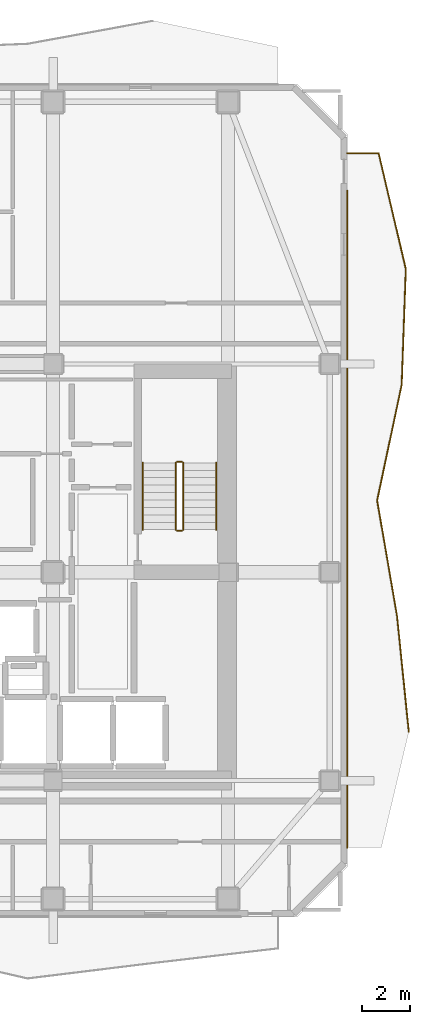
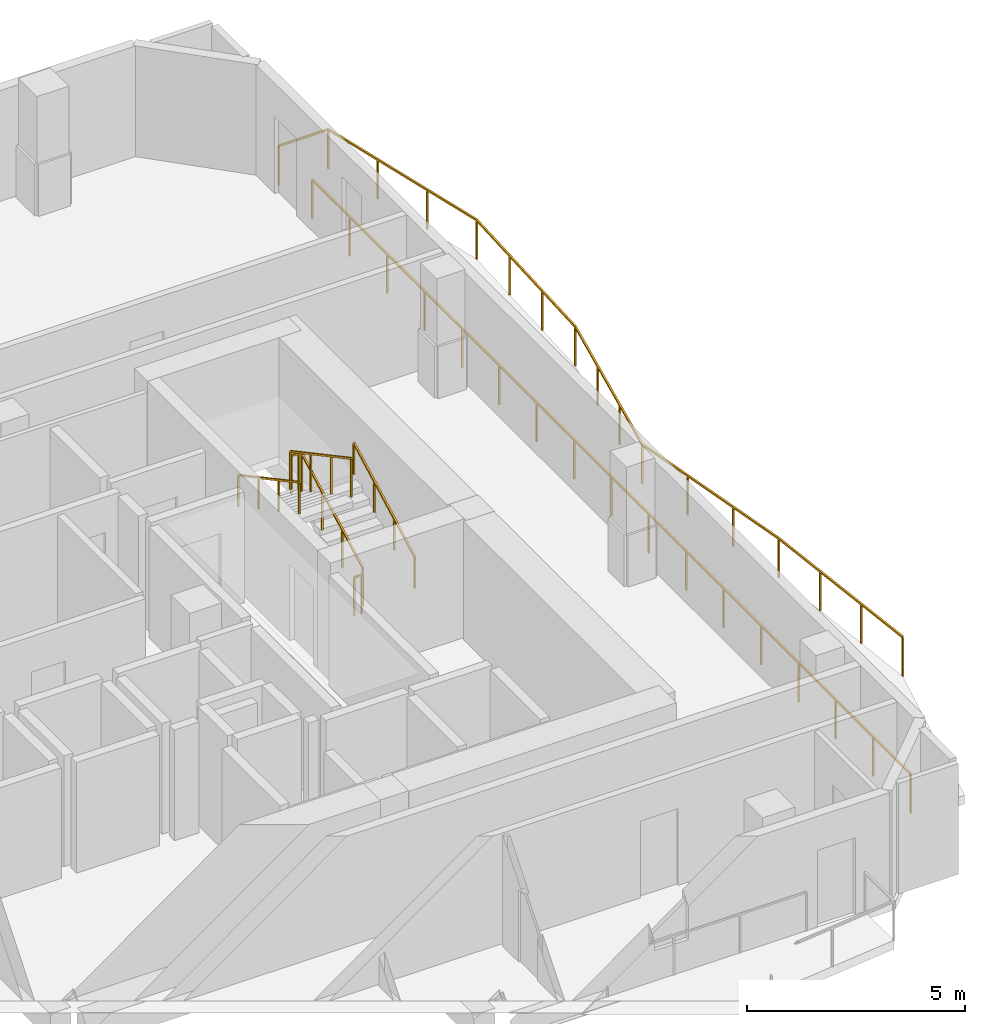
# One storey, part 9 of 10: 8 railings.
"""IFC4 building model written with IfcOpenShell, lengths in metres."""

from ifc_helpers import new_model, si_unit, direction, frame, origin, origin_2d, place, context, subcontext, project, spatial, rectangle, extrude, material, type_object, element, save


model = new_model("IFC4")

# Units and contexts
model_context = context("Model", 3, precision=1e-05, world=origin(), true_north=direction((0.0, 1.0)))
body_context = subcontext(model_context, "Body", "Model", "MODEL_VIEW")
ifc_project = project(units=[si_unit("LENGTHUNIT", "METRE"), si_unit("AREAUNIT", "SQUARE_METRE"), si_unit("VOLUMEUNIT", "CUBIC_METRE"), si_unit("PLANEANGLEUNIT", "RADIAN"), si_unit("MASSUNIT", "GRAM", prefix="KILO")], contexts=[model_context])

# Site, building, storey
site_placement = place(None, origin())
site = spatial("IfcSite", under=ifc_project, at=site_placement, CompositionType="ELEMENT")
building_placement = place(site_placement, origin())
building = spatial("IfcBuilding", under=site, at=building_placement, Name="Solanera Arch Residences", CompositionType="ELEMENT")
storey_placement = place(building_placement, frame((0.0, 0.0, 262.239990234375)))
storey = spatial("IfcBuildingStorey", under=building, at=storey_placement, Name="L76", CompositionType="ELEMENT", Elevation=262.239990234375)

# Railings
ifc_material_1 = material(Name="Steel S355 (ASTM A992 / A572 Grade 50)", Category="steel")
railing_type_1 = type_object("IfcRailingType", Name="Balustrade Railing BL-1100", PredefinedType="BALUSTRADE", material=ifc_material_1)
railing_1_placement = place(storey_placement, frame((44.05908203125, 24.032958984375, 0.0)))
element("IfcRailing", 1, at=railing_1_placement, inside=storey, type_object=railing_type_1, Name="L76 E Balcony Balustrade 1", PredefinedType="BALUSTRADE", context=body_context, shape_type="SweptSolid", body=[
    extrude(rectangle(XDim=0.048095703125, YDim=0.048095703125, at=origin_2d()), frame((0.0, 0.0, 1.09619140625), z_axis=(-0.100846880324, 0.99490195835, 0.0), x_axis=(-0.99490195835, -0.100846880324, 0.0)), (0.0, 0.0, 1.0), 4.858642578125),
    extrude(rectangle(XDim=0.048095703125, YDim=0.048095703125, at=origin_2d()), frame((-0.489990234375, 4.833984375, 1.09619140625), z_axis=(-0.169660181067, 0.985502624532, 0.0), x_axis=(-0.985502624532, -0.169660181067, 0.0)), (0.0, 0.0, 1.0), 4.904052734375),
    extrude(rectangle(XDim=0.048095703125, YDim=0.048095703125, at=origin_2d()), frame((-1.322021484375, 9.6669921875, 1.09619140625), z_axis=(0.207449754538, 0.978245674328, 0.0), x_axis=(-0.978245674328, 0.207449754538, 0.0)), (0.0, 0.0, 1.0), 4.9404296875),
    extrude(rectangle(XDim=0.048095703125, YDim=0.048095703125, at=origin_2d()), frame((-0.297119140625, 14.5, 1.09619140625), z_axis=(0.035785145967, 0.999359506548, 0.0), x_axis=(-0.999359506548, 0.035785145967, 0.0)), (0.0, 0.0, 1.0), 4.837158203125),
    extrude(rectangle(XDim=0.048095703125, YDim=0.048095703125, at=origin_2d()), frame((-0.1240234375, 19.333984375, 1.09619140625), z_axis=(-0.228811832081, 0.973470670077, 0.0), x_axis=(-0.973470670077, -0.228811832081, 0.0)), (0.0, 0.0, 1.0), 4.964599609375),
    extrude(rectangle(XDim=0.048095703125, YDim=0.048095703125, at=origin_2d()), frame((-1.260009765625, 24.1669921875, 1.09619140625), z_axis=(-1.0, 0.0, 0.0), x_axis=(0.0, -1.0, 0.0)), (0.0, 0.0, 1.0), 1.319091796875),
    extrude(rectangle(XDim=0.0419921875, YDim=0.0419921875, at=origin_2d()), origin(), (0.0, 0.0, 1.0), 1.072021484375),
    extrude(rectangle(XDim=0.0419921875, YDim=0.0419921875, at=origin_2d()), frame((-0.163330078125, 1.611328125, 0.0)), (0.0, 0.0, 1.0), 1.072021484375),
    extrude(rectangle(XDim=0.0419921875, YDim=0.0419921875, at=origin_2d()), frame((-0.32666015625, 3.22265625, 0.0)), (0.0, 0.0, 1.0), 1.072021484375),
    extrude(rectangle(XDim=0.0419921875, YDim=0.0419921875, at=origin_2d()), frame((-0.489990234375, 4.833984375, 0.0)), (0.0, 0.0, 1.0), 1.072021484375),
    extrude(rectangle(XDim=0.0419921875, YDim=0.0419921875, at=origin_2d()), frame((-0.767333984375, 6.445068359375, 0.0)), (0.0, 0.0, 1.0), 1.072021484375),
    extrude(rectangle(XDim=0.0419921875, YDim=0.0419921875, at=origin_2d()), frame((-1.044677734375, 8.055908203125, 0.0)), (0.0, 0.0, 1.0), 1.072021484375),
    extrude(rectangle(XDim=0.0419921875, YDim=0.0419921875, at=origin_2d()), frame((-1.322021484375, 9.6669921875, 0.0)), (0.0, 0.0, 1.0), 1.072021484375),
    extrude(rectangle(XDim=0.0419921875, YDim=0.0419921875, at=origin_2d()), frame((-0.98046875, 11.278076171875, 0.0)), (0.0, 0.0, 1.0), 1.072021484375),
    extrude(rectangle(XDim=0.0419921875, YDim=0.0419921875, at=origin_2d()), frame((-0.638671875, 12.888916015625, 0.0)), (0.0, 0.0, 1.0), 1.072021484375),
    extrude(rectangle(XDim=0.0419921875, YDim=0.0419921875, at=origin_2d()), frame((-0.297119140625, 14.5, 0.0)), (0.0, 0.0, 1.0), 1.072021484375),
    extrude(rectangle(XDim=0.0419921875, YDim=0.0419921875, at=origin_2d()), frame((-0.239501953125, 16.111328125, 0.0)), (0.0, 0.0, 1.0), 1.072021484375),
    extrude(rectangle(XDim=0.0419921875, YDim=0.0419921875, at=origin_2d()), frame((-0.181640625, 17.72265625, 0.0)), (0.0, 0.0, 1.0), 1.072021484375),
    extrude(rectangle(XDim=0.0419921875, YDim=0.0419921875, at=origin_2d()), frame((-0.1240234375, 19.333984375, 0.0)), (0.0, 0.0, 1.0), 1.072021484375),
    extrude(rectangle(XDim=0.0419921875, YDim=0.0419921875, at=origin_2d()), frame((-0.502685546875, 20.945068359375, 0.0)), (0.0, 0.0, 1.0), 1.072021484375),
    extrude(rectangle(XDim=0.0419921875, YDim=0.0419921875, at=origin_2d()), frame((-0.88134765625, 22.555908203125, 0.0)), (0.0, 0.0, 1.0), 1.072021484375),
    extrude(rectangle(XDim=0.0419921875, YDim=0.0419921875, at=origin_2d()), frame((-1.260009765625, 24.1669921875, 0.0)), (0.0, 0.0, 1.0), 1.072021484375),
    extrude(rectangle(XDim=0.0419921875, YDim=0.0419921875, at=origin_2d()), frame((-2.5791015625, 24.1669921875, 0.0)), (0.0, 0.0, 1.0), 1.072021484375),
])
railing_2_placement = place(storey_placement, frame((41.47998046875, 46.64501953125, 0.0)))
element("IfcRailing", 2, at=railing_2_placement, inside=storey, type_object=railing_type_1, Name="L76 E Balcony Balustrade 2", PredefinedType="BALUSTRADE", context=body_context, shape_type="SweptSolid", body=[
    extrude(rectangle(XDim=0.048095703125, YDim=0.048095703125, at=origin_2d()), frame((0.0, 0.0, 1.09619140625), z_axis=(0.0, -1.0, 0.0), x_axis=(1.0, 0.0, 0.0)), (0.0, 0.0, 1.0), 27.445068359375),
    extrude(rectangle(XDim=0.0419921875, YDim=0.0419921875, at=origin_2d()), origin(), (0.0, 0.0, 1.0), 1.072021484375),
    extrude(rectangle(XDim=0.0419921875, YDim=0.0419921875, at=origin_2d()), frame((0.0, -1.71533203125, 0.0)), (0.0, 0.0, 1.0), 1.072021484375),
    extrude(rectangle(XDim=0.0419921875, YDim=0.0419921875, at=origin_2d()), frame((0.0, -3.4306640625, 0.0)), (0.0, 0.0, 1.0), 1.072021484375),
    extrude(rectangle(XDim=0.0419921875, YDim=0.0419921875, at=origin_2d()), frame((0.0, -5.14599609375, 0.0)), (0.0, 0.0, 1.0), 1.072021484375),
    extrude(rectangle(XDim=0.0419921875, YDim=0.0419921875, at=origin_2d()), frame((0.0, -6.861328125, 0.0)), (0.0, 0.0, 1.0), 1.072021484375),
    extrude(rectangle(XDim=0.0419921875, YDim=0.0419921875, at=origin_2d()), frame((0.0, -8.57666015625, 0.0)), (0.0, 0.0, 1.0), 1.072021484375),
    extrude(rectangle(XDim=0.0419921875, YDim=0.0419921875, at=origin_2d()), frame((0.0, -10.2919921875, 0.0)), (0.0, 0.0, 1.0), 1.072021484375),
    extrude(rectangle(XDim=0.0419921875, YDim=0.0419921875, at=origin_2d()), frame((0.0, -12.00732421875, 0.0)), (0.0, 0.0, 1.0), 1.072021484375),
    extrude(rectangle(XDim=0.0419921875, YDim=0.0419921875, at=origin_2d()), frame((0.0, -13.72265625, 0.0)), (0.0, 0.0, 1.0), 1.072021484375),
    extrude(rectangle(XDim=0.0419921875, YDim=0.0419921875, at=origin_2d()), frame((0.0, -15.437744140625, 0.0)), (0.0, 0.0, 1.0), 1.072021484375),
    extrude(rectangle(XDim=0.0419921875, YDim=0.0419921875, at=origin_2d()), frame((0.0, -17.153076171875, 0.0)), (0.0, 0.0, 1.0), 1.072021484375),
    extrude(rectangle(XDim=0.0419921875, YDim=0.0419921875, at=origin_2d()), frame((0.0, -18.868408203125, 0.0)), (0.0, 0.0, 1.0), 1.072021484375),
    extrude(rectangle(XDim=0.0419921875, YDim=0.0419921875, at=origin_2d()), frame((0.0, -20.583740234375, 0.0)), (0.0, 0.0, 1.0), 1.072021484375),
    extrude(rectangle(XDim=0.0419921875, YDim=0.0419921875, at=origin_2d()), frame((0.0, -22.299072265625, 0.0)), (0.0, 0.0, 1.0), 1.072021484375),
    extrude(rectangle(XDim=0.0419921875, YDim=0.0419921875, at=origin_2d()), frame((0.0, -24.014404296875, 0.0)), (0.0, 0.0, 1.0), 1.072021484375),
    extrude(rectangle(XDim=0.0419921875, YDim=0.0419921875, at=origin_2d()), frame((0.0, -25.729736328125, 0.0)), (0.0, 0.0, 1.0), 1.072021484375),
    extrude(rectangle(XDim=0.0419921875, YDim=0.0419921875, at=origin_2d()), frame((0.0, -27.445068359375, 0.0)), (0.0, 0.0, 1.0), 1.072021484375),
])
ifc_material_2 = material(Name="Steel S355 (ASTM A992 / A572 Grade 50)", Category="steel")
railing_type_2 = type_object("IfcRailingType", Name="Stair Guardrail GR-1100", PredefinedType="GUARDRAIL", material=ifc_material_2)
railing_3_placement = place(storey_placement, frame((34.6298828125, 32.47998046875, 0.151123046875)))
element("IfcRailing", 3, at=railing_3_placement, inside=storey, type_object=railing_type_2, Name="L76 ST-T2 stair guard 1", PredefinedType="GUARDRAIL", context=body_context, shape_type="SweptSolid", body=[
    extrude(rectangle(XDim=0.048095703125, YDim=0.048095703125, at=origin_2d()), frame((0.0, 0.0, 1.076171875), z_axis=(0.0, 0.881580869306, 0.472033018838), x_axis=(-1.0, 0.0, 0.0)), (0.0, 0.0, 1.0), 3.164794921875),
    extrude(rectangle(XDim=0.0419921875, YDim=0.0419921875, at=origin_2d()), origin(), (0.0, 0.0, 1.0), 1.052001953125),
    extrude(rectangle(XDim=0.0419921875, YDim=0.0419921875, at=origin_2d()), frame((0.0, 0.929931640625, 0.498046875)), (0.0, 0.0, 1.0), 1.052001953125),
    extrude(rectangle(XDim=0.0419921875, YDim=0.0419921875, at=origin_2d()), frame((0.0, 1.860107421875, 0.995849609375)), (0.0, 0.0, 1.0), 1.052001953125),
    extrude(rectangle(XDim=0.0419921875, YDim=0.0419921875, at=origin_2d()), frame((0.0, 2.7900390625, 1.493896484375)), (0.0, 0.0, 1.0), 1.052001953125),
])
railing_4_placement = place(storey_placement, frame((34.580078125, 35.320068359375, 1.64501953125)))
element("IfcRailing", 4, at=railing_4_placement, inside=storey, type_object=railing_type_2, Name="L76 ST-T2 stair guard 2", PredefinedType="GUARDRAIL", context=body_context, shape_type="SweptSolid", body=[
    extrude(rectangle(XDim=0.048095703125, YDim=0.048095703125, at=origin_2d()), frame((0.0, 0.0, 1.076171875), z_axis=(-1.0, 0.0, 0.0), x_axis=(0.0, -1.0, 0.0)), (0.0, 0.0, 1.0), 0.2001953125),
    extrude(rectangle(XDim=0.0419921875, YDim=0.0419921875, at=origin_2d()), origin(), (0.0, 0.0, 1.0), 1.052001953125),
    extrude(rectangle(XDim=0.0419921875, YDim=0.0419921875, at=origin_2d()), frame((-0.2001953125, 0.0, 0.0)), (0.0, 0.0, 1.0), 1.052001953125),
])
railing_5_placement = place(storey_placement, frame((34.330078125, 35.27001953125, 1.81103515625)))
element("IfcRailing", 5, at=railing_5_placement, inside=storey, type_object=railing_type_2, Name="L76 ST-T2 stair guard 3", PredefinedType="GUARDRAIL", context=body_context, shape_type="SweptSolid", body=[
    extrude(rectangle(XDim=0.048095703125, YDim=0.048095703125, at=origin_2d()), frame((0.0, 0.0, 1.076171875), z_axis=(0.0, -0.881580869306, 0.472033018838), x_axis=(1.0, 0.0, 0.0)), (0.0, 0.0, 1.0), 3.164794921875),
    extrude(rectangle(XDim=0.0419921875, YDim=0.0419921875, at=origin_2d()), origin(), (0.0, 0.0, 1.0), 1.052001953125),
    extrude(rectangle(XDim=0.0419921875, YDim=0.0419921875, at=origin_2d()), frame((0.0, -0.929931640625, 0.498046875)), (0.0, 0.0, 1.0), 1.052001953125),
    extrude(rectangle(XDim=0.0419921875, YDim=0.0419921875, at=origin_2d()), frame((0.0, -1.860107421875, 0.995849609375)), (0.0, 0.0, 1.0), 1.052001953125),
    extrude(rectangle(XDim=0.0419921875, YDim=0.0419921875, at=origin_2d()), frame((0.0, -2.7900390625, 1.493896484375)), (0.0, 0.0, 1.0), 1.052001953125),
])
railing_6_placement = place(storey_placement, frame((34.580078125, 32.429931640625, -0.014892578125)))
element("IfcRailing", 6, at=railing_6_placement, inside=storey, type_object=railing_type_2, Name="L76 ST-T2 stair guard 4", PredefinedType="GUARDRAIL", context=body_context, shape_type="SweptSolid", body=[
    extrude(rectangle(XDim=0.048095703125, YDim=0.048095703125, at=origin_2d()), frame((0.0, 0.0, 1.076171875), z_axis=(-1.0, 0.0, 0.0), x_axis=(0.0, -1.0, 0.0)), (0.0, 0.0, 1.0), 0.2001953125),
    extrude(rectangle(XDim=0.0419921875, YDim=0.0419921875, at=origin_2d()), origin(), (0.0, 0.0, 1.0), 1.052001953125),
    extrude(rectangle(XDim=0.0419921875, YDim=0.0419921875, at=origin_2d()), frame((-0.2001953125, 0.0, 0.0)), (0.0, 0.0, 1.0), 1.052001953125),
])
ifc_material_3 = material(Name="Steel S355 (ASTM A992 / A572 Grade 50)", Category="steel")
railing_type_3 = type_object("IfcRailingType", Name="Stair Wall Handrail HR-920", PredefinedType="HANDRAIL", material=ifc_material_3)
railing_7_placement = place(storey_placement, frame((36.010009765625, 32.47998046875, 0.166015625)))
element("IfcRailing", 7, at=railing_7_placement, inside=storey, type_object=railing_type_3, Name="L76 ST-T2 stair handrail 1", PredefinedType="HANDRAIL", context=body_context, shape_type="SweptSolid", body=[
    extrude(rectangle(XDim=0.048095703125, YDim=0.048095703125, at=origin_2d()), frame((0.0, 0.0, 0.8759765625), z_axis=(0.0, 0.881580869306, 0.472033018838), x_axis=(-1.0, 0.0, 0.0)), (0.0, 0.0, 1.0), 3.164794921875),
    extrude(rectangle(XDim=0.0419921875, YDim=0.0419921875, at=origin_2d()), origin(), (0.0, 0.0, 1.0), 0.851806640625),
    extrude(rectangle(XDim=0.0419921875, YDim=0.0419921875, at=origin_2d()), frame((0.0, 0.929931640625, 0.498046875)), (0.0, 0.0, 1.0), 0.851806640625),
    extrude(rectangle(XDim=0.0419921875, YDim=0.0419921875, at=origin_2d()), frame((0.0, 1.860107421875, 0.995849609375)), (0.0, 0.0, 1.0), 0.851806640625),
    extrude(rectangle(XDim=0.0419921875, YDim=0.0419921875, at=origin_2d()), frame((0.0, 2.7900390625, 1.493896484375)), (0.0, 0.0, 1.0), 0.851806640625),
])
railing_8_placement = place(storey_placement, frame((32.949951171875, 35.27001953125, 1.825927734375)))
element("IfcRailing", 8, at=railing_8_placement, inside=storey, type_object=railing_type_3, Name="L76 ST-T2 stair handrail 2", PredefinedType="HANDRAIL", context=body_context, shape_type="SweptSolid", body=[
    extrude(rectangle(XDim=0.048095703125, YDim=0.048095703125, at=origin_2d()), frame((0.0, 0.0, 0.8759765625), z_axis=(0.0, -0.881548766853, 0.472092969298), x_axis=(1.0, 0.0, 0.0)), (0.0, 0.0, 1.0), 3.1650390625),
    extrude(rectangle(XDim=0.0419921875, YDim=0.0419921875, at=origin_2d()), origin(), (0.0, 0.0, 1.0), 0.851806640625),
    extrude(rectangle(XDim=0.0419921875, YDim=0.0419921875, at=origin_2d()), frame((0.0, -0.929931640625, 0.498046875)), (0.0, 0.0, 1.0), 0.851806640625),
    extrude(rectangle(XDim=0.0419921875, YDim=0.0419921875, at=origin_2d()), frame((0.0, -1.860107421875, 0.99609375)), (0.0, 0.0, 1.0), 0.851806640625),
    extrude(rectangle(XDim=0.0419921875, YDim=0.0419921875, at=origin_2d()), frame((0.0, -2.7900390625, 1.494140625)), (0.0, 0.0, 1.0), 0.851806640625),
])

save(model, "model.ifc")
